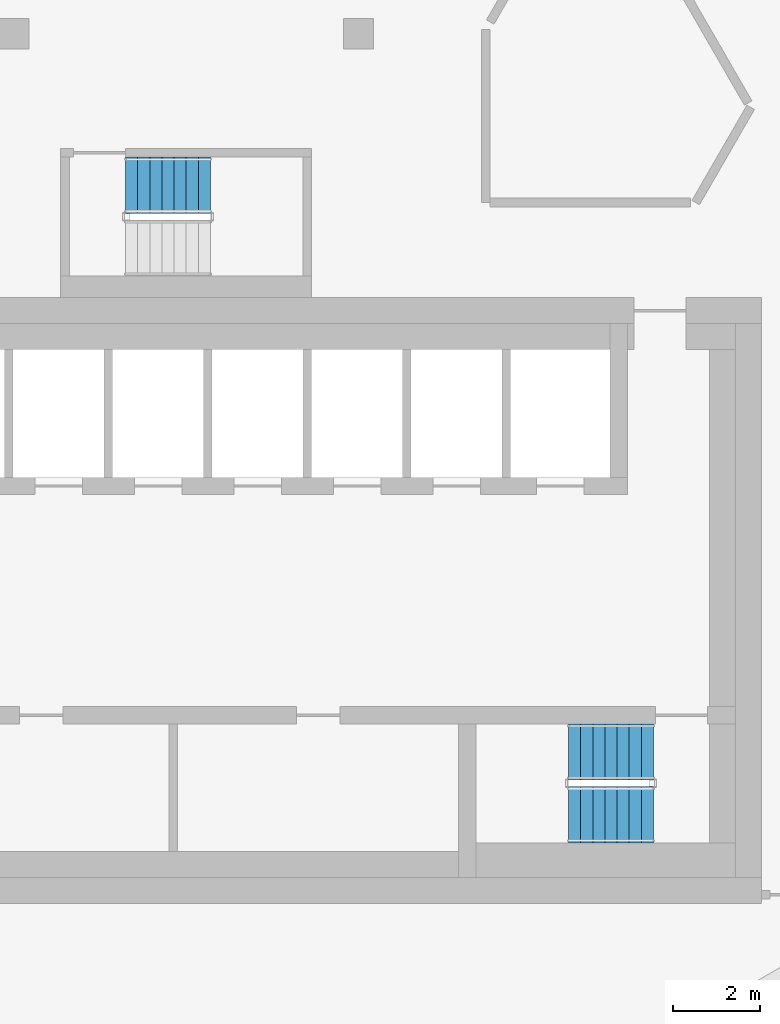
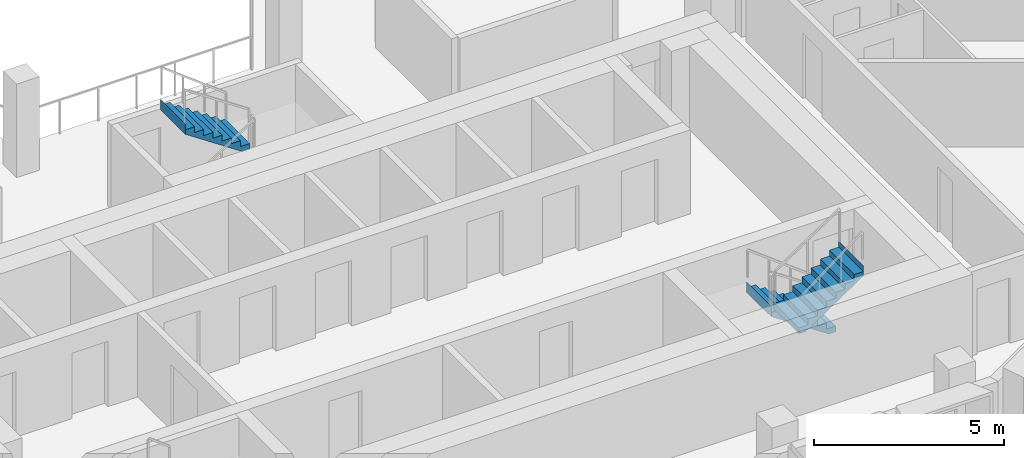
# One storey, part 12 of 17: 3 stair flights, 2 elements without a shape of their own.
"""IFC4 building model written with IfcOpenShell, lengths in metres."""

import ifcopenshell
import ifcopenshell.guid

model = None  # the IFC model being written
_history = None  # IfcOwnerHistory: only IFC2X3 demands one
_inside = {}  # id of a spatial element -> (the spatial element, [elements in it])
_under = {}  # id of a project, library or spatial element -> (it, [spatial elements below it])
_declared = {}  # id of a project -> (the project, [libraries it declares])
_typed = {}  # id of a type object -> (the type object, [elements of that type])
_made_of = {}  # id of a material, layer set ... -> (it, [elements and type objects made of it])


def new_model(schema):
    """Start an empty IFC model of exactly this schema.

    Asked for "IFC4X3", IfcOpenShell would pick the latest addendum, in which some entities
    have other attributes; the version numbers below select the first issue.
    IFC2X3 requires an IfcOwnerHistory on every rooted entity: one is made here for all.
    """
    global model, _history
    if schema == "IFC4X3":
        model = ifcopenshell.file(schema_version=(4, 3, 0, 0))
    else:
        model = ifcopenshell.file(schema=schema)
    _inside.clear()
    _under.clear()
    _declared.clear()
    _typed.clear()
    _made_of.clear()
    _history = None
    if model.schema == "IFC2X3":
        org = make("IfcOrganization", Name="unknown")
        user = make(
            "IfcPersonAndOrganization",
            ThePerson=make("IfcPerson", FamilyName="unknown"),
            TheOrganization=org,
        )
        app = make(
            "IfcApplication",
            ApplicationDeveloper=org,
            Version="unknown",
            ApplicationFullName="unknown",
            ApplicationIdentifier="unknown",
        )
        _history = make(
            "IfcOwnerHistory",
            OwningUser=user,
            OwningApplication=app,
            ChangeAction="ADDED",
            CreationDate=0,
        )
    return model


def make(cls, **values):
    """One entity of the class cls with the attributes given. An attribute that is None is left unset."""
    return model.create_entity(
        cls, **{name: value for name, value in values.items() if value is not None}
    )


def rooted(cls, **values):
    """An entity with a GlobalId (a new one), such as an element, a storey or a relation."""
    return make(cls, GlobalId=ifcopenshell.guid.new(), OwnerHistory=_history, **values)


def si_unit(unit_type, name, prefix=None):
    """IfcSIUnit, for example si_unit("LENGTHUNIT", "METRE", prefix="MILLI")."""
    return make("IfcSIUnit", UnitType=unit_type, Prefix=prefix, Name=name)


def assignment(units):
    """IfcUnitAssignment: the units of a project."""
    return None if units is None else make("IfcUnitAssignment", Units=units)


def point(xyz):
    """IfcCartesianPoint."""
    return None if xyz is None else make("IfcCartesianPoint", Coordinates=xyz)


def direction(xyz):
    """IfcDirection."""
    return None if xyz is None else make("IfcDirection", DirectionRatios=xyz)


def frame(location, z_axis=None, x_axis=None):
    """IfcAxis2Placement3D, a coordinate frame: its origin and axes. An axis left out is left unset."""
    return make(
        "IfcAxis2Placement3D",
        Location=point(location),
        Axis=direction(z_axis),
        RefDirection=direction(x_axis),
    )


def origin():
    """The frame at (0, 0, 0) with its axes left unset."""
    return frame((0.0, 0.0, 0.0))


def place(relative_to, where):
    """IfcLocalPlacement: puts the frame where relative to a parent placement (None: the world)."""
    return make(
        "IfcLocalPlacement", PlacementRelTo=relative_to, RelativePlacement=where
    )


def context(
    kind, dimensions, precision=None, world=None, true_north=None, identifier=None
):
    """IfcGeometricRepresentationContext, for example the 3D "Model" context."""
    return make(
        "IfcGeometricRepresentationContext",
        ContextIdentifier=identifier,
        ContextType=kind,
        CoordinateSpaceDimension=dimensions,
        Precision=precision,
        WorldCoordinateSystem=world,
        TrueNorth=true_north,
    )


def subcontext(parent, identifier, kind, view, scale=None):
    """IfcGeometricRepresentationSubContext, for example "Body" below "Model"."""
    return make(
        "IfcGeometricRepresentationSubContext",
        ContextIdentifier=identifier,
        ContextType=kind,
        ParentContext=parent,
        TargetScale=scale,
        TargetView=view,
    )


def project(units=None, contexts=None):
    """IfcProject with its units and contexts."""
    return rooted(
        "IfcProject",
        Name="project",
        RepresentationContexts=contexts,
        UnitsInContext=assignment(units),
    )


def spatial(cls, under=None, at=None, **own):
    """A site, building, storey or space (cls), placed at a placement, below another one or the project."""
    s = rooted(cls, ObjectPlacement=at, **own)
    if under is not None:
        _under.setdefault(under.id(), (under, []))[1].append(s)
    return s


def point_list(points):
    """IfcCartesianPointList2D or 3D."""
    cls = (
        "IfcCartesianPointList2D" if len(points[0]) == 2 else "IfcCartesianPointList3D"
    )
    return make(cls, CoordList=points)


def triangles(points, corners, closed=None, point_numbers=None):
    """IfcTriangulatedFaceSet: each triangle names its three corners, points numbered from 1."""
    return make(
        "IfcTriangulatedFaceSet",
        Coordinates=point_list(points),
        Closed=closed,
        CoordIndex=corners,
        PnIndex=point_numbers,
    )


def shape(context_of_items, identifier, shape_type, items):
    """IfcShapeRepresentation: the items that make up one representation, for example the "Body"."""
    return make(
        "IfcShapeRepresentation",
        ContextOfItems=context_of_items,
        RepresentationIdentifier=identifier,
        RepresentationType=shape_type,
        Items=items,
    )


def material(Name=None, Category=None):
    """IfcMaterial."""
    return make("IfcMaterial", Name=Name, Category=Category)


def made_of(thing, what):
    """Note that an element or type object is made of a material, layer set ...; save() writes the relation."""
    if what is not None:
        _made_of.setdefault(what.id(), (what, []))[1].append(thing)
    return thing


def type_object(cls, material=None, **own):
    """A type object (cls), such as IfcWallType, which elements share."""
    return made_of(rooted(cls, **own), material)


def element(
    cls,
    number,
    at=None,
    inside=None,
    cuts=None,
    type_object=None,
    material=None,
    context=None,
    identifier="Body",
    shape_type=None,
    held_by="IfcProductDefinitionShape",
    body=None,
    shapes=None,
    **own,
):
    """One element of the class cls, such as IfcWall. Its Tag is "e" and its number.

    at: its placement. inside: the storey or other place that contains it. cuts: it is an
    opening in that element (IfcRelVoidsElement). A single representation is given by context,
    identifier, shape_type and body (its items); several are given by shapes. held_by: the class
    of the entity that holds the representations. save() writes the other relations.
    """
    e = rooted(cls, Tag="e%d" % number, ObjectPlacement=at, **own)
    if body is not None:
        shapes = [shape(context, identifier, shape_type, body)]
    if shapes is not None:
        e.Representation = make(held_by, Representations=shapes)
    if inside is not None:
        _inside.setdefault(inside.id(), (inside, []))[1].append(e)
    if cuts is not None:
        rooted(
            "IfcRelVoidsElement", RelatingBuildingElement=cuts, RelatedOpeningElement=e
        )
    if type_object is not None:
        _typed.setdefault(type_object.id(), (type_object, []))[1].append(e)
    return made_of(e, material)


def aggregate(whole, parts):
    """IfcRelAggregates: a whole, such as a stair, and the parts it consists of."""
    return rooted("IfcRelAggregates", RelatingObject=whole, RelatedObjects=parts)


def save(model, path):
    """Write the relations noted so far, then the file.

    IfcRelAggregates (storeys below a building ...), IfcRelContainedInSpatialStructure (elements
    in a storey), IfcRelDefinesByType, IfcRelAssociatesMaterial and IfcRelDeclares: one each for
    every whole, place, type object, material and project.
    """
    for whole, parts in _under.values():
        aggregate(whole, parts)
    for where, things in _inside.values():
        rooted(
            "IfcRelContainedInSpatialStructure",
            RelatedElements=things,
            RelatingStructure=where,
        )
    for kind, things in _typed.values():
        rooted("IfcRelDefinesByType", RelatedObjects=things, RelatingType=kind)
    for what, things in _made_of.values():
        rooted("IfcRelAssociatesMaterial", RelatedObjects=things, RelatingMaterial=what)
    for by, libraries in _declared.values():
        rooted("IfcRelDeclares", RelatingContext=by, RelatedDefinitions=libraries)
    model.write(path)


model = new_model("IFC4")

# Units and contexts
model_context = context("Model", 3, precision=1e-05, world=origin(), true_north=direction((0.0, 1.0)))
body_context = subcontext(model_context, "Body", "Model", "MODEL_VIEW")
ifc_project = project(units=[si_unit("LENGTHUNIT", "METRE"), si_unit("AREAUNIT", "SQUARE_METRE"), si_unit("VOLUMEUNIT", "CUBIC_METRE"), si_unit("PLANEANGLEUNIT", "RADIAN"), si_unit("MASSUNIT", "GRAM", prefix="KILO")], contexts=[model_context])

# Site, building, storey
site_placement = place(None, origin())
site = spatial("IfcSite", under=ifc_project, at=site_placement, CompositionType="ELEMENT")
building_placement = place(site_placement, origin())
building = spatial("IfcBuilding", under=site, at=building_placement, Name="Beryl Residences", CompositionType="ELEMENT")
storey_placement = place(building_placement, frame((0.0, 0.0, 178.199951171875)))
storey = spatial("IfcBuildingStorey", under=building, at=storey_placement, Name="L54", CompositionType="ELEMENT", Elevation=178.199951171875)

# Stair, stair flights
ifc_material_1 = material(Name="Concrete C40/50", Category="concrete")
stair_type = type_object("IfcStairType", Name="ST1 protected exit stair, half-turn, 1300 mm flights", PredefinedType="HALF_TURN_STAIR", material=ifc_material_1)
stair_1_placement = place(storey_placement, origin())
stair_1 = element("IfcStair", 1, at=stair_1_placement, inside=storey, type_object=stair_type, Name="L54 PROTECTED EXIT STAIR ST-3", PredefinedType="HALF_TURN_STAIR")
ifc_material_2 = material(Name="Concrete C40/50", Category="concrete")
stair_flight_type = type_object("IfcStairFlightType", Name="SF1 stair flight 1300 mm", PredefinedType="STRAIGHT", material=ifc_material_2)
stair_flight_1_placement = place(storey_placement, frame((10.800048828125, -15.5, 0.0), z_axis=(0.0, 0.0, 1.0), x_axis=(-1.0, 0.0, 0.0)))
stair_flight_1 = element("IfcStairFlight", 2, at=stair_flight_1_placement, type_object=stair_flight_type, Name="ST-3 flight 1", NumberOfRisers=8, NumberOfTreads=7, PredefinedType="STRAIGHT", RiserHeight=0.1875, TreadLength=0.28, context=body_context, shape_type="Tessellation", body=[
    triangles([(0.0, -0.64990234375, 0.0), (0.0, -0.324951171875, 0.0), (0.0, 0.0, 0.0), (0.0, 0.324951171875, 0.0), (0.0, 0.64990234375, 0.0), (0.0, -0.64990234375, 0.1875), (0.0, -0.324951171875, 0.1875), (0.0, 0.0, 0.1875), (0.0, 0.324951171875, 0.1875), (0.0, 0.64990234375, 0.1875), (0.280029296875, -0.64990234375, 0.1875), (0.280029296875, -0.324951171875, 0.1875), (0.280029296875, 0.0, 0.1875), (0.280029296875, 0.324951171875, 0.1875), (0.280029296875, 0.64990234375, 0.1875), (0.280029296875, -0.64990234375, 0.375), (0.280029296875, -0.324951171875, 0.375), (0.280029296875, 0.0, 0.375), (0.280029296875, 0.324951171875, 0.375), (0.280029296875, 0.64990234375, 0.375), (0.56005859375, -0.64990234375, 0.375), (0.56005859375, -0.324951171875, 0.375), (0.56005859375, 0.0, 0.375), (0.56005859375, 0.324951171875, 0.375), (0.56005859375, 0.64990234375, 0.375), (0.56005859375, -0.64990234375, 0.5625), (0.56005859375, -0.324951171875, 0.5625), (0.56005859375, 0.0, 0.5625), (0.56005859375, 0.324951171875, 0.5625), (0.56005859375, 0.64990234375, 0.5625), (0.840087890625, -0.64990234375, 0.5625), (0.840087890625, -0.324951171875, 0.5625), (0.840087890625, 0.0, 0.5625), (0.840087890625, 0.324951171875, 0.5625), (0.840087890625, 0.64990234375, 0.5625), (0.840087890625, -0.64990234375, 0.75), (0.840087890625, -0.324951171875, 0.75), (0.840087890625, 0.0, 0.75), (0.840087890625, 0.324951171875, 0.75), (0.840087890625, 0.64990234375, 0.75), (1.1201171875, -0.64990234375, 0.75), (1.1201171875, -0.324951171875, 0.75), (1.1201171875, 0.0, 0.75), (1.1201171875, 0.324951171875, 0.75), (1.1201171875, 0.64990234375, 0.75), (1.1201171875, -0.64990234375, 0.9375), (1.1201171875, -0.324951171875, 0.9375), (1.1201171875, 0.0, 0.9375), (1.1201171875, 0.324951171875, 0.9375), (1.1201171875, 0.64990234375, 0.9375), (1.39990234375, -0.64990234375, 0.9375), (1.39990234375, -0.324951171875, 0.9375), (1.39990234375, 0.0, 0.9375), (1.39990234375, 0.324951171875, 0.9375), (1.39990234375, 0.64990234375, 0.9375), (1.39990234375, -0.64990234375, 1.125), (1.39990234375, -0.324951171875, 1.125), (1.39990234375, 0.0, 1.125), (1.39990234375, 0.324951171875, 1.125), (1.39990234375, 0.64990234375, 1.125), (1.679931640625, -0.64990234375, 1.125), (1.679931640625, -0.324951171875, 1.125), (1.679931640625, 0.0, 1.125), (1.679931640625, 0.324951171875, 1.125), (1.679931640625, 0.64990234375, 1.125), (1.679931640625, -0.64990234375, 1.3125), (1.679931640625, -0.324951171875, 1.3125), (1.679931640625, 0.0, 1.3125), (1.679931640625, 0.324951171875, 1.3125), (1.679931640625, 0.64990234375, 1.3125), (1.9599609375, -0.64990234375, 1.3125), (1.9599609375, -0.324951171875, 1.3125), (1.9599609375, 0.0, 1.3125), (1.9599609375, 0.324951171875, 1.3125), (1.9599609375, 0.64990234375, 1.3125), (1.9599609375, -0.64990234375, 1.5), (1.9599609375, -0.324951171875, 1.5), (1.9599609375, 0.0, 1.5), (1.9599609375, 0.324951171875, 1.5), (1.9599609375, 0.64990234375, 1.5), (1.9609375, -0.64990234375, 1.5), (1.9609375, -0.324951171875, 1.5), (1.9609375, 0.0, 1.5), (1.9609375, 0.324951171875, 1.5), (1.9609375, 0.64990234375, 1.5), (1.9609375, -0.64990234375, 1.16796875), (1.9609375, -0.324951171875, 1.16796875), (1.9609375, 0.0, 1.16796875), (1.9609375, 0.324951171875, 1.16796875), (1.9609375, 0.64990234375, 1.16796875), (0.216796875, -0.64990234375, 0.0), (0.216796875, -0.324951171875, 0.0), (0.216796875, 0.0, 0.0), (0.216796875, 0.324951171875, 0.0), (0.216796875, 0.64990234375, 0.0)], [[1, 6, 7], [1, 7, 2], [2, 7, 8], [2, 8, 3], [3, 8, 9], [3, 9, 4], [4, 9, 10], [4, 10, 5], [6, 11, 12], [6, 12, 7], [7, 12, 13], [7, 13, 8], [8, 13, 14], [8, 14, 9], [9, 14, 15], [9, 15, 10], [11, 16, 17], [11, 17, 12], [12, 17, 18], [12, 18, 13], [13, 18, 19], [13, 19, 14], [14, 19, 20], [14, 20, 15], [16, 21, 22], [16, 22, 17], [17, 22, 23], [17, 23, 18], [18, 23, 24], [18, 24, 19], [19, 24, 25], [19, 25, 20], [21, 26, 27], [21, 27, 22], [22, 27, 28], [22, 28, 23], [23, 28, 29], [23, 29, 24], [24, 29, 30], [24, 30, 25], [26, 31, 32], [26, 32, 27], [27, 32, 33], [27, 33, 28], [28, 33, 34], [28, 34, 29], [29, 34, 35], [29, 35, 30], [31, 36, 37], [31, 37, 32], [32, 37, 38], [32, 38, 33], [33, 38, 39], [33, 39, 34], [34, 39, 40], [34, 40, 35], [36, 41, 42], [36, 42, 37], [37, 42, 43], [37, 43, 38], [38, 43, 44], [38, 44, 39], [39, 44, 45], [39, 45, 40], [41, 46, 47], [41, 47, 42], [42, 47, 48], [42, 48, 43], [43, 48, 49], [43, 49, 44], [44, 49, 50], [44, 50, 45], [46, 51, 52], [46, 52, 47], [47, 52, 53], [47, 53, 48], [48, 53, 54], [48, 54, 49], [49, 54, 55], [49, 55, 50], [51, 56, 57], [51, 57, 52], [52, 57, 58], [52, 58, 53], [53, 58, 59], [53, 59, 54], [54, 59, 60], [54, 60, 55], [56, 61, 62], [56, 62, 57], [57, 62, 63], [57, 63, 58], [58, 63, 64], [58, 64, 59], [59, 64, 65], [59, 65, 60], [61, 66, 67], [61, 67, 62], [62, 67, 68], [62, 68, 63], [63, 68, 69], [63, 69, 64], [64, 69, 70], [64, 70, 65], [66, 71, 72], [66, 72, 67], [67, 72, 73], [67, 73, 68], [68, 73, 74], [68, 74, 69], [69, 74, 75], [69, 75, 70], [71, 76, 77], [71, 77, 72], [72, 77, 78], [72, 78, 73], [73, 78, 79], [73, 79, 74], [74, 79, 80], [74, 80, 75], [76, 81, 82], [76, 82, 77], [77, 82, 83], [77, 83, 78], [78, 83, 84], [78, 84, 79], [79, 84, 85], [79, 85, 80], [81, 86, 87], [81, 87, 82], [82, 87, 88], [82, 88, 83], [83, 88, 89], [83, 89, 84], [84, 89, 90], [84, 90, 85], [86, 91, 92], [86, 92, 87], [87, 92, 93], [87, 93, 88], [88, 93, 94], [88, 94, 89], [89, 94, 95], [89, 95, 90], [91, 1, 2], [91, 2, 92], [92, 2, 3], [92, 3, 93], [93, 3, 4], [93, 4, 94], [94, 4, 5], [94, 5, 95], [1, 91, 86], [5, 90, 95], [86, 81, 76], [90, 80, 85], [86, 76, 71], [90, 75, 80], [86, 71, 66], [90, 70, 75], [86, 66, 61], [90, 65, 70], [61, 56, 51], [65, 55, 60], [86, 61, 51], [90, 55, 65], [51, 46, 41], [55, 45, 50], [86, 51, 41], [90, 45, 55], [41, 36, 31], [45, 35, 40], [86, 41, 31], [90, 35, 45], [31, 26, 21], [35, 25, 30], [86, 31, 21], [90, 25, 35], [21, 16, 11], [25, 15, 20], [86, 21, 11], [90, 15, 25], [1, 86, 11], [5, 15, 90], [11, 6, 1], [15, 5, 10]], closed=True),
])
stair_flight_2_placement = place(storey_placement, frame((8.840087890625, -16.949951171875, 1.5), z_axis=(0.0, 0.0, 1.0), x_axis=(1.0, 0.0, 0.0)))
stair_flight_2 = element("IfcStairFlight", 3, at=stair_flight_2_placement, type_object=stair_flight_type, Name="ST-3 flight 2", NumberOfRisers=8, NumberOfTreads=7, PredefinedType="STRAIGHT", RiserHeight=0.1875, TreadLength=0.28, context=body_context, shape_type="Tessellation", body=[
    triangles([(0.0, -0.64990234375, 0.0), (0.0, -0.324951171875, 0.0), (0.0, 0.0, 0.0), (0.0, 0.324951171875, 0.0), (0.0, 0.64990234375, 0.0), (0.0, -0.64990234375, 0.1875), (0.0, -0.324951171875, 0.1875), (0.0, 0.0, 0.1875), (0.0, 0.324951171875, 0.1875), (0.0, 0.64990234375, 0.1875), (0.280029296875, -0.64990234375, 0.1875), (0.280029296875, -0.324951171875, 0.1875), (0.280029296875, 0.0, 0.1875), (0.280029296875, 0.324951171875, 0.1875), (0.280029296875, 0.64990234375, 0.1875), (0.280029296875, -0.64990234375, 0.375), (0.280029296875, -0.324951171875, 0.375), (0.280029296875, 0.0, 0.375), (0.280029296875, 0.324951171875, 0.375), (0.280029296875, 0.64990234375, 0.375), (0.56005859375, -0.64990234375, 0.375), (0.56005859375, -0.324951171875, 0.375), (0.56005859375, 0.0, 0.375), (0.56005859375, 0.324951171875, 0.375), (0.56005859375, 0.64990234375, 0.375), (0.56005859375, -0.64990234375, 0.5625), (0.56005859375, -0.324951171875, 0.5625), (0.56005859375, 0.0, 0.5625), (0.56005859375, 0.324951171875, 0.5625), (0.56005859375, 0.64990234375, 0.5625), (0.840087890625, -0.64990234375, 0.5625), (0.840087890625, -0.324951171875, 0.5625), (0.840087890625, 0.0, 0.5625), (0.840087890625, 0.324951171875, 0.5625), (0.840087890625, 0.64990234375, 0.5625), (0.840087890625, -0.64990234375, 0.75), (0.840087890625, -0.324951171875, 0.75), (0.840087890625, 0.0, 0.75), (0.840087890625, 0.324951171875, 0.75), (0.840087890625, 0.64990234375, 0.75), (1.1201171875, -0.64990234375, 0.75), (1.1201171875, -0.324951171875, 0.75), (1.1201171875, 0.0, 0.75), (1.1201171875, 0.324951171875, 0.75), (1.1201171875, 0.64990234375, 0.75), (1.1201171875, -0.64990234375, 0.9375), (1.1201171875, -0.324951171875, 0.9375), (1.1201171875, 0.0, 0.9375), (1.1201171875, 0.324951171875, 0.9375), (1.1201171875, 0.64990234375, 0.9375), (1.39990234375, -0.64990234375, 0.9375), (1.39990234375, -0.324951171875, 0.9375), (1.39990234375, 0.0, 0.9375), (1.39990234375, 0.324951171875, 0.9375), (1.39990234375, 0.64990234375, 0.9375), (1.39990234375, -0.64990234375, 1.125), (1.39990234375, -0.324951171875, 1.125), (1.39990234375, 0.0, 1.125), (1.39990234375, 0.324951171875, 1.125), (1.39990234375, 0.64990234375, 1.125), (1.679931640625, -0.64990234375, 1.125), (1.679931640625, -0.324951171875, 1.125), (1.679931640625, 0.0, 1.125), (1.679931640625, 0.324951171875, 1.125), (1.679931640625, 0.64990234375, 1.125), (1.679931640625, -0.64990234375, 1.3125), (1.679931640625, -0.324951171875, 1.3125), (1.679931640625, 0.0, 1.3125), (1.679931640625, 0.324951171875, 1.3125), (1.679931640625, 0.64990234375, 1.3125), (1.9599609375, -0.64990234375, 1.3125), (1.9599609375, -0.324951171875, 1.3125), (1.9599609375, 0.0, 1.3125), (1.9599609375, 0.324951171875, 1.3125), (1.9599609375, 0.64990234375, 1.3125), (1.9599609375, -0.64990234375, 1.5), (1.9599609375, -0.324951171875, 1.5), (1.9599609375, 0.0, 1.5), (1.9599609375, 0.324951171875, 1.5), (1.9599609375, 0.64990234375, 1.5), (1.9609375, -0.64990234375, 1.5), (1.9609375, -0.324951171875, 1.5), (1.9609375, 0.0, 1.5), (1.9609375, 0.324951171875, 1.5), (1.9609375, 0.64990234375, 1.5), (1.9609375, -0.64990234375, 1.16796875), (1.9609375, -0.324951171875, 1.16796875), (1.9609375, 0.0, 1.16796875), (1.9609375, 0.324951171875, 1.16796875), (1.9609375, 0.64990234375, 1.16796875), (0.216796875, -0.64990234375, 0.0), (0.216796875, -0.324951171875, 0.0), (0.216796875, 0.0, 0.0), (0.216796875, 0.324951171875, 0.0), (0.216796875, 0.64990234375, 0.0)], [[1, 6, 7], [1, 7, 2], [2, 7, 8], [2, 8, 3], [3, 8, 9], [3, 9, 4], [4, 9, 10], [4, 10, 5], [6, 11, 12], [6, 12, 7], [7, 12, 13], [7, 13, 8], [8, 13, 14], [8, 14, 9], [9, 14, 15], [9, 15, 10], [11, 16, 17], [11, 17, 12], [12, 17, 18], [12, 18, 13], [13, 18, 19], [13, 19, 14], [14, 19, 20], [14, 20, 15], [16, 21, 22], [16, 22, 17], [17, 22, 23], [17, 23, 18], [18, 23, 24], [18, 24, 19], [19, 24, 25], [19, 25, 20], [21, 26, 27], [21, 27, 22], [22, 27, 28], [22, 28, 23], [23, 28, 29], [23, 29, 24], [24, 29, 30], [24, 30, 25], [26, 31, 32], [26, 32, 27], [27, 32, 33], [27, 33, 28], [28, 33, 34], [28, 34, 29], [29, 34, 35], [29, 35, 30], [31, 36, 37], [31, 37, 32], [32, 37, 38], [32, 38, 33], [33, 38, 39], [33, 39, 34], [34, 39, 40], [34, 40, 35], [36, 41, 42], [36, 42, 37], [37, 42, 43], [37, 43, 38], [38, 43, 44], [38, 44, 39], [39, 44, 45], [39, 45, 40], [41, 46, 47], [41, 47, 42], [42, 47, 48], [42, 48, 43], [43, 48, 49], [43, 49, 44], [44, 49, 50], [44, 50, 45], [46, 51, 52], [46, 52, 47], [47, 52, 53], [47, 53, 48], [48, 53, 54], [48, 54, 49], [49, 54, 55], [49, 55, 50], [51, 56, 57], [51, 57, 52], [52, 57, 58], [52, 58, 53], [53, 58, 59], [53, 59, 54], [54, 59, 60], [54, 60, 55], [56, 61, 62], [56, 62, 57], [57, 62, 63], [57, 63, 58], [58, 63, 64], [58, 64, 59], [59, 64, 65], [59, 65, 60], [61, 66, 67], [61, 67, 62], [62, 67, 68], [62, 68, 63], [63, 68, 69], [63, 69, 64], [64, 69, 70], [64, 70, 65], [66, 71, 72], [66, 72, 67], [67, 72, 73], [67, 73, 68], [68, 73, 74], [68, 74, 69], [69, 74, 75], [69, 75, 70], [71, 76, 77], [71, 77, 72], [72, 77, 78], [72, 78, 73], [73, 78, 79], [73, 79, 74], [74, 79, 80], [74, 80, 75], [76, 81, 82], [76, 82, 77], [77, 82, 83], [77, 83, 78], [78, 83, 84], [78, 84, 79], [79, 84, 85], [79, 85, 80], [81, 86, 87], [81, 87, 82], [82, 87, 88], [82, 88, 83], [83, 88, 89], [83, 89, 84], [84, 89, 90], [84, 90, 85], [86, 91, 92], [86, 92, 87], [87, 92, 93], [87, 93, 88], [88, 93, 94], [88, 94, 89], [89, 94, 95], [89, 95, 90], [91, 1, 2], [91, 2, 92], [92, 2, 3], [92, 3, 93], [93, 3, 4], [93, 4, 94], [94, 4, 5], [94, 5, 95], [1, 91, 86], [5, 90, 95], [86, 81, 76], [90, 80, 85], [86, 76, 71], [90, 75, 80], [86, 71, 66], [90, 70, 75], [86, 66, 61], [90, 65, 70], [61, 56, 51], [65, 55, 60], [86, 61, 51], [90, 55, 65], [51, 46, 41], [55, 45, 50], [86, 51, 41], [90, 45, 55], [41, 36, 31], [45, 35, 40], [86, 41, 31], [90, 35, 45], [31, 26, 21], [35, 25, 30], [86, 31, 21], [90, 25, 35], [21, 16, 11], [25, 15, 20], [86, 21, 11], [90, 15, 25], [1, 86, 11], [5, 15, 90], [11, 6, 1], [15, 5, 10]], closed=True),
])
aggregate(stair_1, [stair_flight_1, stair_flight_2])

# Stair, stair flight
stair_2_placement = place(storey_placement, origin())
stair_2 = element("IfcStair", 4, at=stair_2_placement, inside=storey, type_object=stair_type, Name="L54 PROTECTED EXIT STAIR ST-4", PredefinedType="HALF_TURN_STAIR")
stair_flight_3_placement = place(storey_placement, frame((0.56005859375, -2.39990234375, 1.5), z_axis=(0.0, 0.0, 1.0), x_axis=(-1.0, 0.0, 0.0)))
stair_flight_3 = element("IfcStairFlight", 5, at=stair_flight_3_placement, type_object=stair_flight_type, Name="ST-4 flight 2", NumberOfRisers=8, NumberOfTreads=7, PredefinedType="STRAIGHT", RiserHeight=0.1875, TreadLength=0.28, context=body_context, shape_type="Tessellation", body=[
    triangles([(0.0, -0.64990234375, 0.0), (0.0, -0.324951171875, 0.0), (0.0, 0.0, 0.0), (0.0, 0.324951171875, 0.0), (0.0, 0.64990234375, 0.0), (0.0, -0.64990234375, 0.1875), (0.0, -0.324951171875, 0.1875), (0.0, 0.0, 0.1875), (0.0, 0.324951171875, 0.1875), (0.0, 0.64990234375, 0.1875), (0.280029296875, -0.64990234375, 0.1875), (0.280029296875, -0.324951171875, 0.1875), (0.280029296875, 0.0, 0.1875), (0.280029296875, 0.324951171875, 0.1875), (0.280029296875, 0.64990234375, 0.1875), (0.280029296875, -0.64990234375, 0.375), (0.280029296875, -0.324951171875, 0.375), (0.280029296875, 0.0, 0.375), (0.280029296875, 0.324951171875, 0.375), (0.280029296875, 0.64990234375, 0.375), (0.56005859375, -0.64990234375, 0.375), (0.56005859375, -0.324951171875, 0.375), (0.56005859375, 0.0, 0.375), (0.56005859375, 0.324951171875, 0.375), (0.56005859375, 0.64990234375, 0.375), (0.56005859375, -0.64990234375, 0.5625), (0.56005859375, -0.324951171875, 0.5625), (0.56005859375, 0.0, 0.5625), (0.56005859375, 0.324951171875, 0.5625), (0.56005859375, 0.64990234375, 0.5625), (0.840087890625, -0.64990234375, 0.5625), (0.840087890625, -0.324951171875, 0.5625), (0.840087890625, 0.0, 0.5625), (0.840087890625, 0.324951171875, 0.5625), (0.840087890625, 0.64990234375, 0.5625), (0.840087890625, -0.64990234375, 0.75), (0.840087890625, -0.324951171875, 0.75), (0.840087890625, 0.0, 0.75), (0.840087890625, 0.324951171875, 0.75), (0.840087890625, 0.64990234375, 0.75), (1.1201171875, -0.64990234375, 0.75), (1.1201171875, -0.324951171875, 0.75), (1.1201171875, 0.0, 0.75), (1.1201171875, 0.324951171875, 0.75), (1.1201171875, 0.64990234375, 0.75), (1.1201171875, -0.64990234375, 0.9375), (1.1201171875, -0.324951171875, 0.9375), (1.1201171875, 0.0, 0.9375), (1.1201171875, 0.324951171875, 0.9375), (1.1201171875, 0.64990234375, 0.9375), (1.39990234375, -0.64990234375, 0.9375), (1.39990234375, -0.324951171875, 0.9375), (1.39990234375, 0.0, 0.9375), (1.39990234375, 0.324951171875, 0.9375), (1.39990234375, 0.64990234375, 0.9375), (1.39990234375, -0.64990234375, 1.125), (1.39990234375, -0.324951171875, 1.125), (1.39990234375, 0.0, 1.125), (1.39990234375, 0.324951171875, 1.125), (1.39990234375, 0.64990234375, 1.125), (1.679931640625, -0.64990234375, 1.125), (1.679931640625, -0.324951171875, 1.125), (1.679931640625, 0.0, 1.125), (1.679931640625, 0.324951171875, 1.125), (1.679931640625, 0.64990234375, 1.125), (1.679931640625, -0.64990234375, 1.3125), (1.679931640625, -0.324951171875, 1.3125), (1.679931640625, 0.0, 1.3125), (1.679931640625, 0.324951171875, 1.3125), (1.679931640625, 0.64990234375, 1.3125), (1.9599609375, -0.64990234375, 1.3125), (1.9599609375, -0.324951171875, 1.3125), (1.9599609375, 0.0, 1.3125), (1.9599609375, 0.324951171875, 1.3125), (1.9599609375, 0.64990234375, 1.3125), (1.9599609375, -0.64990234375, 1.5), (1.9599609375, -0.324951171875, 1.5), (1.9599609375, 0.0, 1.5), (1.9599609375, 0.324951171875, 1.5), (1.9599609375, 0.64990234375, 1.5), (1.9609375, -0.64990234375, 1.5), (1.9609375, -0.324951171875, 1.5), (1.9609375, 0.0, 1.5), (1.9609375, 0.324951171875, 1.5), (1.9609375, 0.64990234375, 1.5), (1.9609375, -0.64990234375, 1.16796875), (1.9609375, -0.324951171875, 1.16796875), (1.9609375, 0.0, 1.16796875), (1.9609375, 0.324951171875, 1.16796875), (1.9609375, 0.64990234375, 1.16796875), (0.216796875, -0.64990234375, 0.0), (0.216796875, -0.324951171875, 0.0), (0.216796875, 0.0, 0.0), (0.216796875, 0.324951171875, 0.0), (0.216796875, 0.64990234375, 0.0)], [[1, 6, 7], [1, 7, 2], [2, 7, 8], [2, 8, 3], [3, 8, 9], [3, 9, 4], [4, 9, 10], [4, 10, 5], [6, 11, 12], [6, 12, 7], [7, 12, 13], [7, 13, 8], [8, 13, 14], [8, 14, 9], [9, 14, 15], [9, 15, 10], [11, 16, 17], [11, 17, 12], [12, 17, 18], [12, 18, 13], [13, 18, 19], [13, 19, 14], [14, 19, 20], [14, 20, 15], [16, 21, 22], [16, 22, 17], [17, 22, 23], [17, 23, 18], [18, 23, 24], [18, 24, 19], [19, 24, 25], [19, 25, 20], [21, 26, 27], [21, 27, 22], [22, 27, 28], [22, 28, 23], [23, 28, 29], [23, 29, 24], [24, 29, 30], [24, 30, 25], [26, 31, 32], [26, 32, 27], [27, 32, 33], [27, 33, 28], [28, 33, 34], [28, 34, 29], [29, 34, 35], [29, 35, 30], [31, 36, 37], [31, 37, 32], [32, 37, 38], [32, 38, 33], [33, 38, 39], [33, 39, 34], [34, 39, 40], [34, 40, 35], [36, 41, 42], [36, 42, 37], [37, 42, 43], [37, 43, 38], [38, 43, 44], [38, 44, 39], [39, 44, 45], [39, 45, 40], [41, 46, 47], [41, 47, 42], [42, 47, 48], [42, 48, 43], [43, 48, 49], [43, 49, 44], [44, 49, 50], [44, 50, 45], [46, 51, 52], [46, 52, 47], [47, 52, 53], [47, 53, 48], [48, 53, 54], [48, 54, 49], [49, 54, 55], [49, 55, 50], [51, 56, 57], [51, 57, 52], [52, 57, 58], [52, 58, 53], [53, 58, 59], [53, 59, 54], [54, 59, 60], [54, 60, 55], [56, 61, 62], [56, 62, 57], [57, 62, 63], [57, 63, 58], [58, 63, 64], [58, 64, 59], [59, 64, 65], [59, 65, 60], [61, 66, 67], [61, 67, 62], [62, 67, 68], [62, 68, 63], [63, 68, 69], [63, 69, 64], [64, 69, 70], [64, 70, 65], [66, 71, 72], [66, 72, 67], [67, 72, 73], [67, 73, 68], [68, 73, 74], [68, 74, 69], [69, 74, 75], [69, 75, 70], [71, 76, 77], [71, 77, 72], [72, 77, 78], [72, 78, 73], [73, 78, 79], [73, 79, 74], [74, 79, 80], [74, 80, 75], [76, 81, 82], [76, 82, 77], [77, 82, 83], [77, 83, 78], [78, 83, 84], [78, 84, 79], [79, 84, 85], [79, 85, 80], [81, 86, 87], [81, 87, 82], [82, 87, 88], [82, 88, 83], [83, 88, 89], [83, 89, 84], [84, 89, 90], [84, 90, 85], [86, 91, 92], [86, 92, 87], [87, 92, 93], [87, 93, 88], [88, 93, 94], [88, 94, 89], [89, 94, 95], [89, 95, 90], [91, 1, 2], [91, 2, 92], [92, 2, 3], [92, 3, 93], [93, 3, 4], [93, 4, 94], [94, 4, 5], [94, 5, 95], [1, 91, 86], [5, 90, 95], [86, 81, 76], [90, 80, 85], [86, 76, 71], [90, 75, 80], [86, 71, 66], [90, 70, 75], [86, 66, 61], [90, 65, 70], [61, 56, 51], [65, 55, 60], [86, 61, 51], [90, 55, 65], [51, 46, 41], [55, 45, 50], [86, 51, 41], [90, 45, 55], [41, 36, 31], [45, 35, 40], [86, 41, 31], [90, 35, 45], [31, 26, 21], [35, 25, 30], [86, 31, 21], [90, 25, 35], [21, 16, 11], [25, 15, 20], [86, 21, 11], [90, 15, 25], [1, 86, 11], [5, 15, 90], [11, 6, 1], [15, 5, 10]], closed=True),
])
aggregate(stair_2, [stair_flight_3])

save(model, "model.ifc")
